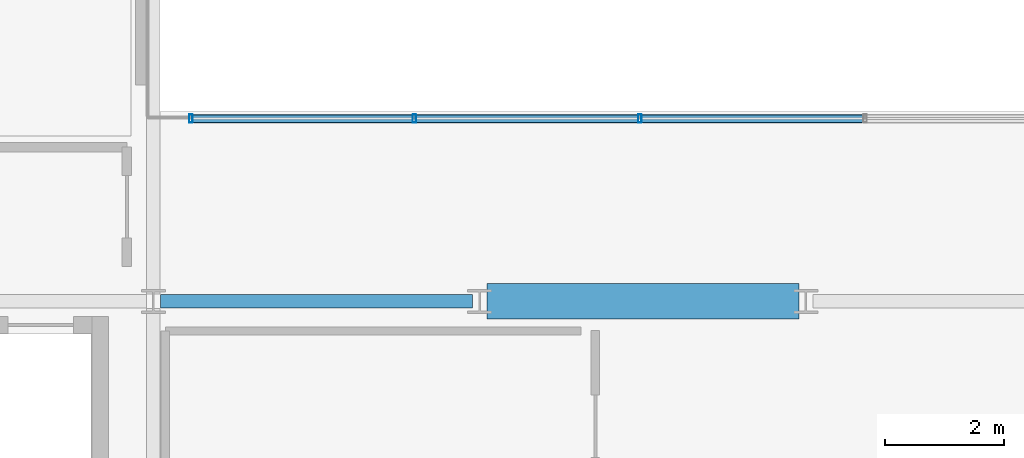
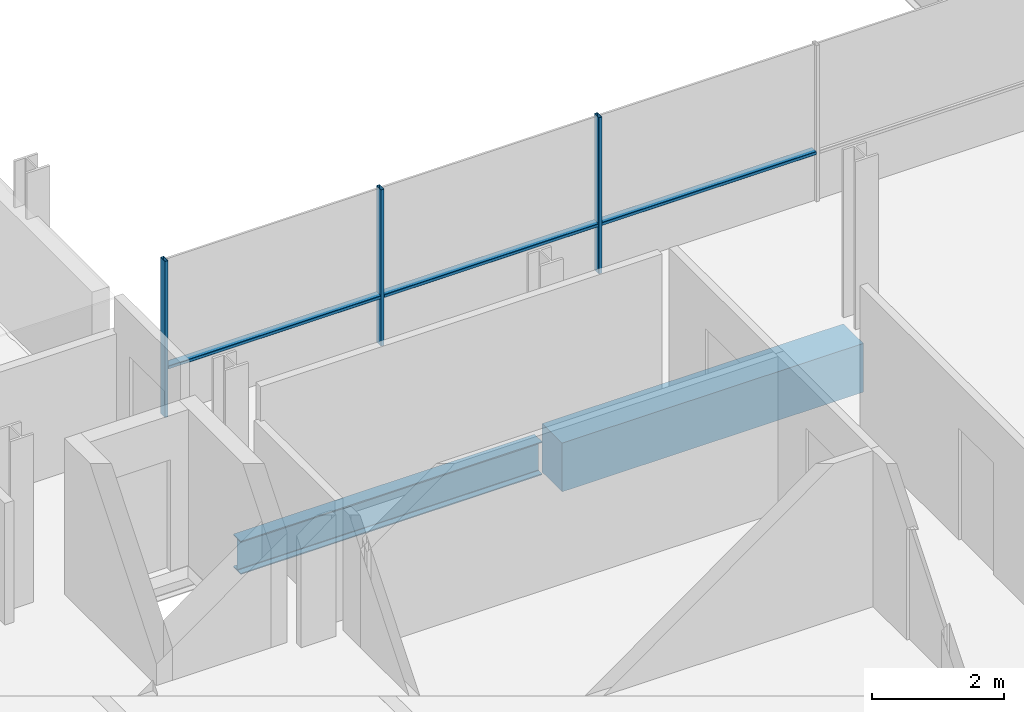
# One storey, part 6 of 41: 6 members, 2 beams, 1 element without a shape of its own.
"""IFC4 building model written with IfcOpenShell, lengths in metres."""

from ifc_helpers import new_model, si_unit, direction, frame, origin, origin_2d, place, context, subcontext, project, spatial, rectangle, hollow_rectangle, i_section, extrude, material, layer, layer_set, material_profile, profile_set, type_object, element, aggregate, save


model = new_model("IFC4")

# Units and contexts
model_context = context("Model", 3, precision=1e-05, world=origin(), true_north=direction((0.0, 1.0)))
body_context = subcontext(model_context, "Body", "Model", "MODEL_VIEW")
ifc_project = project(units=[si_unit("LENGTHUNIT", "METRE"), si_unit("AREAUNIT", "SQUARE_METRE"), si_unit("VOLUMEUNIT", "CUBIC_METRE"), si_unit("PLANEANGLEUNIT", "RADIAN"), si_unit("MASSUNIT", "GRAM", prefix="KILO")], contexts=[model_context])

# Site, building, storey
site_placement = place(None, origin())
site = spatial("IfcSite", under=ifc_project, at=site_placement, CompositionType="ELEMENT")
building_placement = place(site_placement, origin())
building = spatial("IfcBuilding", under=site, at=building_placement, Name="Brevholm Reach", CompositionType="ELEMENT")
storey_placement = place(building_placement, frame((0.0, 0.0, 138.699951171875)))
storey = spatial("IfcBuildingStorey", under=building, at=storey_placement, Name="L41", CompositionType="ELEMENT", Elevation=138.699951171875)

# Beams
ifc_material_1 = material(Name="Concrete C50/60", Category="concrete")
ifc_material_profile_1 = material_profile(ifc_material_1, rectangle(XDim=0.60009765625, YDim=0.89990234375, at=origin_2d()), Name="RC 600x900")
ifc_profile_set_1 = profile_set([ifc_material_profile_1], Name="Concrete C50/60")
beam_type_1 = type_object("IfcBeamType", Name="BM-CB600", PredefinedType="LINTEL", material=ifc_profile_set_1)
beam_1_placement = place(storey_placement, frame((27.3701171875, 10.0, -0.669921875), z_axis=(1.0, 0.0, 0.0), x_axis=(0.0, 1.0, 0.0)))
element("IfcBeam", 1, at=beam_1_placement, inside=storey, type_object=beam_type_1, Name="L41 CB-02 Framing Beam", PredefinedType="LINTEL", context=body_context, shape_type="SweptSolid", body=[
    extrude(rectangle(XDim=0.60009765625, YDim=0.89990234375, at=origin_2d()), origin(), (0.0, 0.0, 1.0), 5.259765625),
])
ifc_material_2 = material(Name="Structural Steel S355J2", Category="steel")
ifc_material_profile_2 = material_profile(ifc_material_2, i_section(OverallWidth=0.22900390625, OverallDepth=0.6123046875, WebThickness=0.011962890625, FlangeThickness=0.01953125, FilletRadius=0.0126953125, at=origin_2d()), Name="UKB 610x229x125")
ifc_profile_set_2 = profile_set([ifc_material_profile_2], Name="Structural Steel S355J2")
beam_type_2 = type_object("IfcBeamType", Name="BM-SP610", PredefinedType="SPANDREL", material=ifc_profile_set_2)
beam_2_placement = place(storey_placement, frame((21.8701171875, 10.0, -0.526123046875), z_axis=(1.0, 0.0, 0.0), x_axis=(0.0, 1.0, 0.0)))
element("IfcBeam", 2, at=beam_2_placement, inside=storey, type_object=beam_type_2, Name="L41 SP-01 Framing Beam", PredefinedType="SPANDREL", context=body_context, shape_type="SweptSolid", body=[
    extrude(i_section(OverallWidth=0.22900390625, OverallDepth=0.6123046875, WebThickness=0.011962890625, FlangeThickness=0.01953125, FilletRadius=0.0126953125, at=origin_2d()), origin(), (0.0, 0.0, 1.0), 5.259765625),
])

# Curtain wall, members
ifc_material_3 = material(Name="Dark Anodised Aluminium 6063-T6 and Solar-Control Glass", Category="aluminium")
ifc_layer = layer(ifc_material_3, 0.139892578125)
ifc_layer_set = layer_set([ifc_layer], Name="Dark Anodised Aluminium 6063-T6 and Solar-Control Glass")
curtain_wall_type = type_object("IfcCurtainWallType", Name="CW-02", PredefinedType="NOTDEFINED", material=ifc_layer_set)
curtain_wall_placement = place(storey_placement, origin())
curtain_wall = element("IfcCurtainWall", 3, at=curtain_wall_placement, inside=storey, type_object=curtain_wall_type, Name="L41 Curtain Wall CW-02", PredefinedType="NOTDEFINED")
ifc_material_4 = material(Name="Dark Anodised Aluminium 6063-T6", Category="aluminium")
ifc_material_profile_3 = material_profile(ifc_material_4, hollow_rectangle(XDim=0.06005859375, YDim=0.139892578125, WallThickness=0.0048828125, InnerFilletRadius=0.0048828125, OuterFilletRadius=0.010009765625, at=origin_2d()), Name="RHS 140x60x5")
ifc_profile_set_3 = profile_set([ifc_material_profile_3], Name="Dark Anodised Aluminium 6063-T6")
member_type_1 = type_object("IfcMemberType", Name="CWM-140", PredefinedType="MULLION", material=ifc_profile_set_3)
member_1_placement = place(storey_placement, frame((22.3798828125, 13.080078125, 0.0), z_axis=(0.0, 0.0, 1.0), x_axis=(1.0, 0.0, 0.0)))
member_1 = element("IfcMember", 4, at=member_1_placement, type_object=member_type_1, Name="CM-140 Mullion 1", PredefinedType="MULLION", context=body_context, shape_type="SweptSolid", body=[
    extrude(hollow_rectangle(XDim=0.06005859375, YDim=0.139892578125, WallThickness=0.0048828125, InnerFilletRadius=0.0048828125, OuterFilletRadius=0.010009765625, at=origin_2d()), origin(), (0.0, 0.0, 1.0), 2.880126953125),
])
member_2_placement = place(storey_placement, frame((26.14990234375, 13.080078125, 0.0), z_axis=(0.0, 0.0, 1.0), x_axis=(1.0, 0.0, 0.0)))
member_2 = element("IfcMember", 5, at=member_2_placement, type_object=member_type_1, Name="CM-140 Mullion 2", PredefinedType="MULLION", context=body_context, shape_type="SweptSolid", body=[
    extrude(hollow_rectangle(XDim=0.06005859375, YDim=0.139892578125, WallThickness=0.0048828125, InnerFilletRadius=0.0048828125, OuterFilletRadius=0.010009765625, at=origin_2d()), origin(), (0.0, 0.0, 1.0), 2.880126953125),
])
member_3_placement = place(storey_placement, frame((29.949951171875, 13.080078125, 0.0), z_axis=(0.0, 0.0, 1.0), x_axis=(1.0, 0.0, 0.0)))
member_3 = element("IfcMember", 6, at=member_3_placement, type_object=member_type_1, Name="CM-140 Mullion 3", PredefinedType="MULLION", context=body_context, shape_type="SweptSolid", body=[
    extrude(hollow_rectangle(XDim=0.06005859375, YDim=0.139892578125, WallThickness=0.0048828125, InnerFilletRadius=0.0048828125, OuterFilletRadius=0.010009765625, at=origin_2d()), origin(), (0.0, 0.0, 1.0), 2.880126953125),
])
ifc_material_5 = material(Name="Dark Anodised Aluminium 6063-T6", Category="aluminium")
ifc_material_profile_4 = material_profile(ifc_material_5, hollow_rectangle(XDim=0.06005859375, YDim=0.139892578125, WallThickness=0.0048828125, InnerFilletRadius=0.0048828125, OuterFilletRadius=0.010009765625, at=origin_2d()), Name="RHS 140x60x5")
ifc_profile_set_4 = profile_set([ifc_material_profile_4], Name="Dark Anodised Aluminium 6063-T6")
member_type_2 = type_object("IfcMemberType", Name="CWT-140", PredefinedType="NOTDEFINED", material=ifc_profile_set_4)
member_4_placement = place(storey_placement, frame((22.409912109375, 13.080078125, 0.900146484375), z_axis=(1.0, 0.0, 0.0), x_axis=(0.0, 0.0, 1.0)))
member_4 = element("IfcMember", 7, at=member_4_placement, type_object=member_type_2, Name="CT-140 Transom 1.1", ObjectType="TRANSOM", PredefinedType="USERDEFINED", context=body_context, shape_type="SweptSolid", body=[
    extrude(hollow_rectangle(XDim=0.06005859375, YDim=0.139892578125, WallThickness=0.0048828125, InnerFilletRadius=0.0048828125, OuterFilletRadius=0.010009765625, at=origin_2d()), origin(), (0.0, 0.0, 1.0), 3.710205078125),
])
member_5_placement = place(storey_placement, frame((26.179931640625, 13.080078125, 0.900146484375), z_axis=(1.0, 0.0, 0.0), x_axis=(0.0, 0.0, 1.0)))
member_5 = element("IfcMember", 8, at=member_5_placement, type_object=member_type_2, Name="CT-140 Transom 2.1", ObjectType="TRANSOM", PredefinedType="USERDEFINED", context=body_context, shape_type="SweptSolid", body=[
    extrude(hollow_rectangle(XDim=0.06005859375, YDim=0.139892578125, WallThickness=0.0048828125, InnerFilletRadius=0.0048828125, OuterFilletRadius=0.010009765625, at=origin_2d()), origin(), (0.0, 0.0, 1.0), 3.739990234375),
])
member_6_placement = place(storey_placement, frame((29.97998046875, 13.080078125, 0.900146484375), z_axis=(1.0, 0.0, 0.0), x_axis=(0.0, 0.0, 1.0)))
member_6 = element("IfcMember", 9, at=member_6_placement, type_object=member_type_2, Name="CT-140 Transom 3.1", ObjectType="TRANSOM", PredefinedType="USERDEFINED", context=body_context, shape_type="SweptSolid", body=[
    extrude(hollow_rectangle(XDim=0.06005859375, YDim=0.139892578125, WallThickness=0.0048828125, InnerFilletRadius=0.0048828125, OuterFilletRadius=0.010009765625, at=origin_2d()), origin(), (0.0, 0.0, 1.0), 3.739990234375),
])
aggregate(curtain_wall, [member_1, member_2, member_3, member_4, member_5, member_6])

save(model, "model.ifc")
